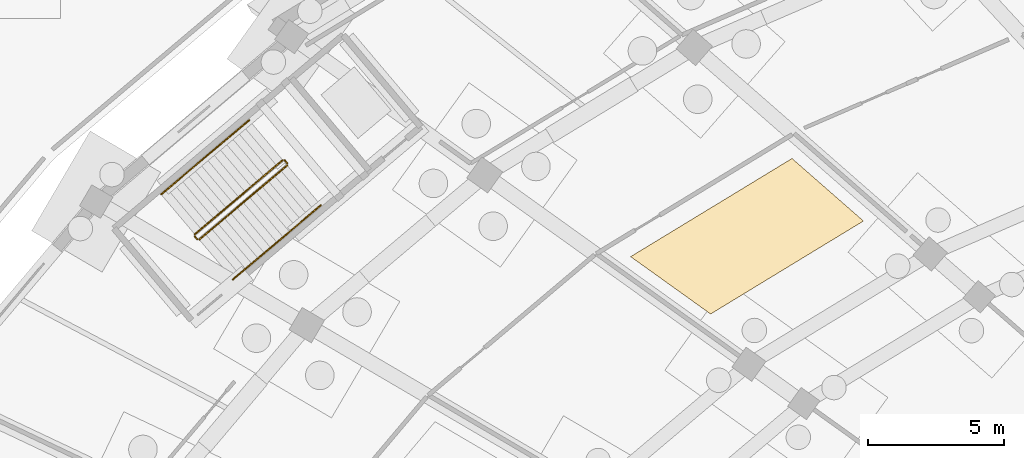
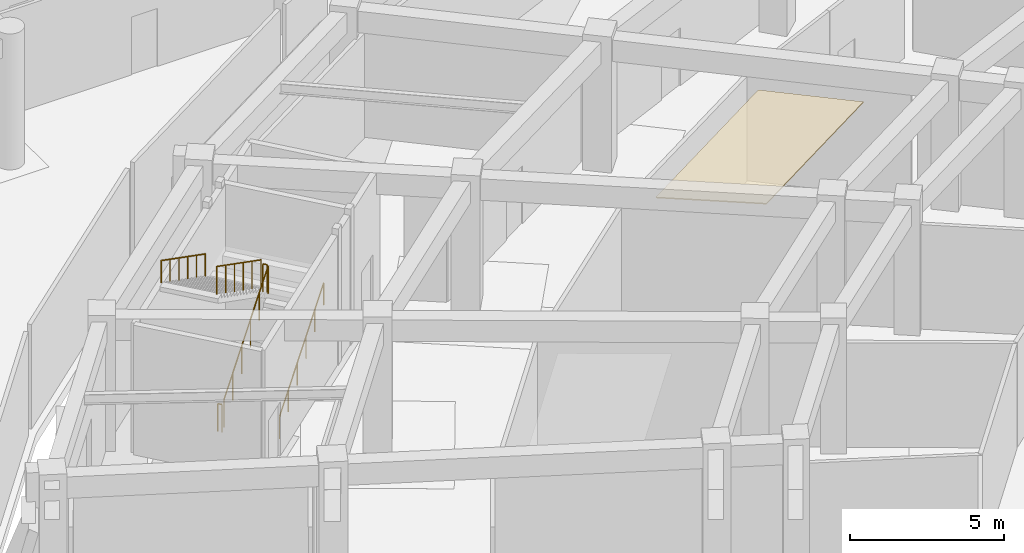
# One storey, part 81 of 88: 6 railings, 1 covering.
"""IFC4 building model written with IfcOpenShell, lengths in metres."""

from ifc_helpers import new_model, si_unit, direction, frame, origin, origin_2d, place, context, subcontext, project, spatial, polyline, circle, outline, extrude, material, layer, layer_set, type_object, element, save


model = new_model("IFC4")

# Units and contexts
model_context = context("Model", 3, precision=1e-05, world=origin(), true_north=direction((0.0, 1.0)))
body_context = subcontext(model_context, "Body", "Model", "MODEL_VIEW")
ifc_project = project(units=[si_unit("LENGTHUNIT", "METRE"), si_unit("AREAUNIT", "SQUARE_METRE"), si_unit("VOLUMEUNIT", "CUBIC_METRE"), si_unit("PLANEANGLEUNIT", "RADIAN"), si_unit("MASSUNIT", "GRAM", prefix="KILO")], contexts=[model_context])

# Site, building, storey
site_placement = place(None, origin())
site = spatial("IfcSite", under=ifc_project, at=site_placement, CompositionType="ELEMENT")
building_placement = place(site_placement, origin())
building = spatial("IfcBuilding", under=site, at=building_placement, Name="Mphavela Belvedere Stadium", CompositionType="ELEMENT")
storey_placement = place(building_placement, origin())
storey = spatial("IfcBuildingStorey", under=building, at=storey_placement, Name="L00", CompositionType="ELEMENT", Elevation=0.0)

# Covering
ifc_material_1 = material(Name="Perforated acoustic mineral ceiling tile")
ifc_layer = layer(ifc_material_1, 0.0400390625)
ifc_layer_set = layer_set([ifc_layer], Name="Perforated acoustic mineral ceiling tile")
covering_type = type_object("IfcCoveringType", Name="COV-CEILING-ACOUSTIC", PredefinedType="CEILING", material=ifc_layer_set)
covering_placement = place(storey_placement, frame((0.0, 0.0, 4.10009765625)))
element("IfcCovering", 1, at=covering_placement, inside=storey, type_object=covering_type, Name="Concourse acoustic ceiling L00-18", PredefinedType="CEILING", context=body_context, shape_type="SweptSolid", body=[
    extrude(outline(polyline([(56.8544921875, 136.93896484375), (51.23974609375, 133.523193359375), (48.300537109375, 135.629150390625), (54.229248046875, 139.236083984375), (56.8544921875, 136.93896484375)])), origin(), (0.0, 0.0, 1.0), 0.039794921875),
])

# Railings
ifc_material_2 = material(Name="Painted galvanised steel stair guardrail", Category="steel")
railing_type_1 = type_object("IfcRailingType", Name="RAL-GUARD-1120", PredefinedType="GUARDRAIL", material=ifc_material_2)
railing_1_placement = place(storey_placement, frame((32.448974609375, 136.259033203125, 0.179931640625)))
element("IfcRailing", 2, at=railing_1_placement, inside=storey, type_object=railing_type_1, Name="L00 ST-C05 stair guard 1", PredefinedType="GUARDRAIL", context=body_context, shape_type="SweptSolid", body=[
    extrude(circle(Radius=0.02392578125, at=origin_2d()), frame((0.0, 0.0, 1.09619140625), z_axis=(0.656491931942, 0.553963120206, 0.511999223385), x_axis=(-0.644903616146, 0.764263911147, 0.0)), (0.0, 0.0, 1.0), 4.921875),
    extrude(circle(Radius=0.02099609375, at=origin_2d()), origin(), (0.0, 0.0, 1.0), 1.072021484375),
    extrude(circle(Radius=0.02099609375, at=origin_2d()), frame((0.646240234375, 0.54541015625, 0.50390625)), (0.0, 0.0, 1.0), 1.072021484375),
    extrude(circle(Radius=0.02099609375, at=origin_2d()), frame((1.29248046875, 1.090576171875, 1.008056640625)), (0.0, 0.0, 1.0), 1.072021484375),
    extrude(circle(Radius=0.02099609375, at=origin_2d()), frame((1.938720703125, 1.635986328125, 1.511962890625)), (0.0, 0.0, 1.0), 1.072021484375),
    extrude(circle(Radius=0.02099609375, at=origin_2d()), frame((2.5849609375, 2.18115234375, 2.01611328125)), (0.0, 0.0, 1.0), 1.072021484375),
    extrude(circle(Radius=0.02099609375, at=origin_2d()), frame((3.231201171875, 2.7265625, 2.52001953125)), (0.0, 0.0, 1.0), 1.072021484375),
])
railing_2_placement = place(storey_placement, frame((35.686279296875, 139.05615234375, 2.699951171875)))
element("IfcRailing", 3, at=railing_2_placement, inside=storey, type_object=railing_type_1, Name="L00 ST-C05 stair guard 2", PredefinedType="GUARDRAIL", context=body_context, shape_type="SweptSolid", body=[
    extrude(circle(Radius=0.02392578125, at=origin_2d()), frame((0.0, 0.0, 1.09619140625), z_axis=(-0.64608813683, 0.763262811519, 0.0), x_axis=(-0.763262811519, -0.64608813683, 0.0)), (0.0, 0.0, 1.0), 0.14990234375),
    extrude(circle(Radius=0.02099609375, at=origin_2d()), origin(), (0.0, 0.0, 1.0), 1.072021484375),
    extrude(circle(Radius=0.02099609375, at=origin_2d()), frame((-0.096923828125, 0.114501953125, 0.0)), (0.0, 0.0, 1.0), 1.072021484375),
])
railing_3_placement = place(storey_placement, frame((35.51904296875, 139.1767578125, 2.8798828125)))
element("IfcRailing", 4, at=railing_3_placement, inside=storey, type_object=railing_type_1, Name="L00 ST-C05 stair guard 3", PredefinedType="GUARDRAIL", context=body_context, shape_type="SweptSolid", body=[
    extrude(circle(Radius=0.02392578125, at=origin_2d()), frame((0.0, 0.0, 1.09619140625), z_axis=(-0.656473892743, -0.553997499664, 0.511985154582), x_axis=(0.644937343467, -0.764235449977, 0.0)), (0.0, 0.0, 1.0), 4.922119140625),
    extrude(circle(Radius=0.02099609375, at=origin_2d()), origin(), (0.0, 0.0, 1.0), 1.072021484375),
    extrude(circle(Radius=0.02099609375, at=origin_2d()), frame((-0.646240234375, -0.54541015625, 0.50390625)), (0.0, 0.0, 1.0), 1.072021484375),
    extrude(circle(Radius=0.02099609375, at=origin_2d()), frame((-1.29248046875, -1.0908203125, 1.008056640625)), (0.0, 0.0, 1.0), 1.072021484375),
    extrude(circle(Radius=0.02099609375, at=origin_2d()), frame((-1.938720703125, -1.635986328125, 1.511962890625)), (0.0, 0.0, 1.0), 1.072021484375),
    extrude(circle(Radius=0.02099609375, at=origin_2d()), frame((-2.5849609375, -2.181396484375, 2.01611328125)), (0.0, 0.0, 1.0), 1.072021484375),
    extrude(circle(Radius=0.02099609375, at=origin_2d()), frame((-3.231201171875, -2.726806640625, 2.52001953125)), (0.0, 0.0, 1.0), 1.072021484375),
])
railing_4_placement = place(storey_placement, frame((32.37841796875, 136.264892578125, 0.0)))
element("IfcRailing", 5, at=railing_4_placement, inside=storey, type_object=railing_type_1, Name="L00 ST-C05 stair guard 4", PredefinedType="GUARDRAIL", context=body_context, shape_type="SweptSolid", body=[
    extrude(circle(Radius=0.02392578125, at=origin_2d()), frame((0.0, 0.0, 1.09619140625), z_axis=(-0.645138550365, 0.764065606367, 0.0), x_axis=(-0.764065606367, -0.645138550365, 0.0)), (0.0, 0.0, 1.0), 0.14990234375),
    extrude(circle(Radius=0.02099609375, at=origin_2d()), origin(), (0.0, 0.0, 1.0), 1.072021484375),
    extrude(circle(Radius=0.02099609375, at=origin_2d()), frame((-0.0966796875, 0.114501953125, 0.0)), (0.0, 0.0, 1.0), 1.072021484375),
])
ifc_material_3 = material(Name="Brushed stainless steel tubular handrail", Category="steel")
railing_type_2 = type_object("IfcRailingType", Name="RAL-HANDRAIL-900", PredefinedType="HANDRAIL", material=ifc_material_3)
railing_5_placement = place(storey_placement, frame((33.687255859375, 134.79150390625, 0.179931640625)))
element("IfcRailing", 6, at=railing_5_placement, inside=storey, type_object=railing_type_2, Name="L00 ST-C05 stair handrail 1", PredefinedType="HANDRAIL", context=body_context, shape_type="SweptSolid", body=[
    extrude(circle(Radius=0.02392578125, at=origin_2d()), frame((0.0, 0.0, 0.8759765625), z_axis=(0.656473892743, 0.553997499664, 0.511985154582), x_axis=(-0.644937343467, 0.764235449977, 0.0)), (0.0, 0.0, 1.0), 4.922119140625),
    extrude(circle(Radius=0.02099609375, at=origin_2d()), origin(), (0.0, 0.0, 1.0), 0.851806640625),
    extrude(circle(Radius=0.02099609375, at=origin_2d()), frame((0.646240234375, 0.54541015625, 0.50390625)), (0.0, 0.0, 1.0), 0.851806640625),
    extrude(circle(Radius=0.02099609375, at=origin_2d()), frame((1.29248046875, 1.0908203125, 1.008056640625)), (0.0, 0.0, 1.0), 0.851806640625),
    extrude(circle(Radius=0.02099609375, at=origin_2d()), frame((1.938720703125, 1.635986328125, 1.511962890625)), (0.0, 0.0, 1.0), 0.851806640625),
    extrude(circle(Radius=0.02099609375, at=origin_2d()), frame((2.5849609375, 2.181396484375, 2.01611328125)), (0.0, 0.0, 1.0), 0.851806640625),
    extrude(circle(Radius=0.02099609375, at=origin_2d()), frame((3.231201171875, 2.726806640625, 2.52001953125)), (0.0, 0.0, 1.0), 0.851806640625),
])
railing_6_placement = place(storey_placement, frame((34.28076171875, 140.64404296875, 2.8798828125)))
element("IfcRailing", 7, at=railing_6_placement, inside=storey, type_object=railing_type_2, Name="L00 ST-C05 stair handrail 2", PredefinedType="HANDRAIL", context=body_context, shape_type="SweptSolid", body=[
    extrude(circle(Radius=0.02392578125, at=origin_2d()), frame((0.0, 0.0, 0.8759765625), z_axis=(-0.656473892743, -0.553997499664, 0.511985154582), x_axis=(0.644937343467, -0.764235449977, 0.0)), (0.0, 0.0, 1.0), 4.922119140625),
    extrude(circle(Radius=0.02099609375, at=origin_2d()), origin(), (0.0, 0.0, 1.0), 0.851806640625),
    extrude(circle(Radius=0.02099609375, at=origin_2d()), frame((-0.646240234375, -0.54541015625, 0.50390625)), (0.0, 0.0, 1.0), 0.851806640625),
    extrude(circle(Radius=0.02099609375, at=origin_2d()), frame((-1.29248046875, -1.0908203125, 1.008056640625)), (0.0, 0.0, 1.0), 0.851806640625),
    extrude(circle(Radius=0.02099609375, at=origin_2d()), frame((-1.938720703125, -1.635986328125, 1.511962890625)), (0.0, 0.0, 1.0), 0.851806640625),
    extrude(circle(Radius=0.02099609375, at=origin_2d()), frame((-2.5849609375, -2.181396484375, 2.01611328125)), (0.0, 0.0, 1.0), 0.851806640625),
    extrude(circle(Radius=0.02099609375, at=origin_2d()), frame((-3.231201171875, -2.726806640625, 2.52001953125)), (0.0, 0.0, 1.0), 0.851806640625),
])

save(model, "model.ifc")
